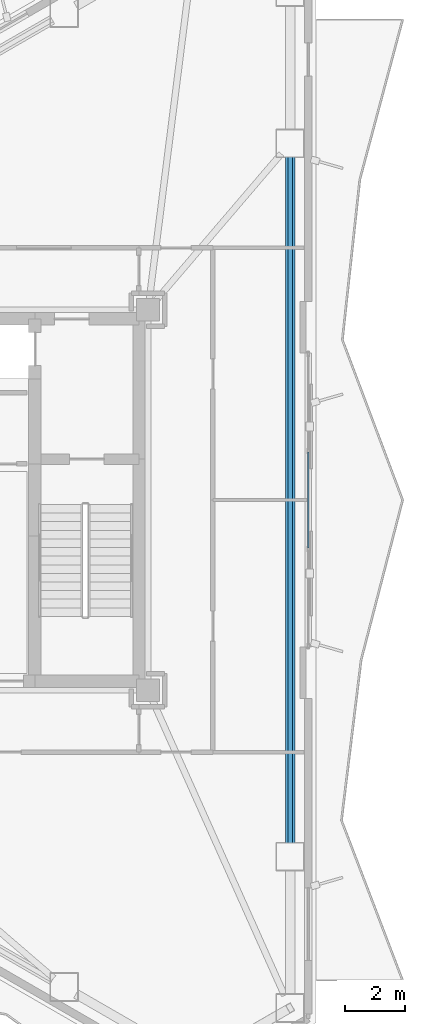
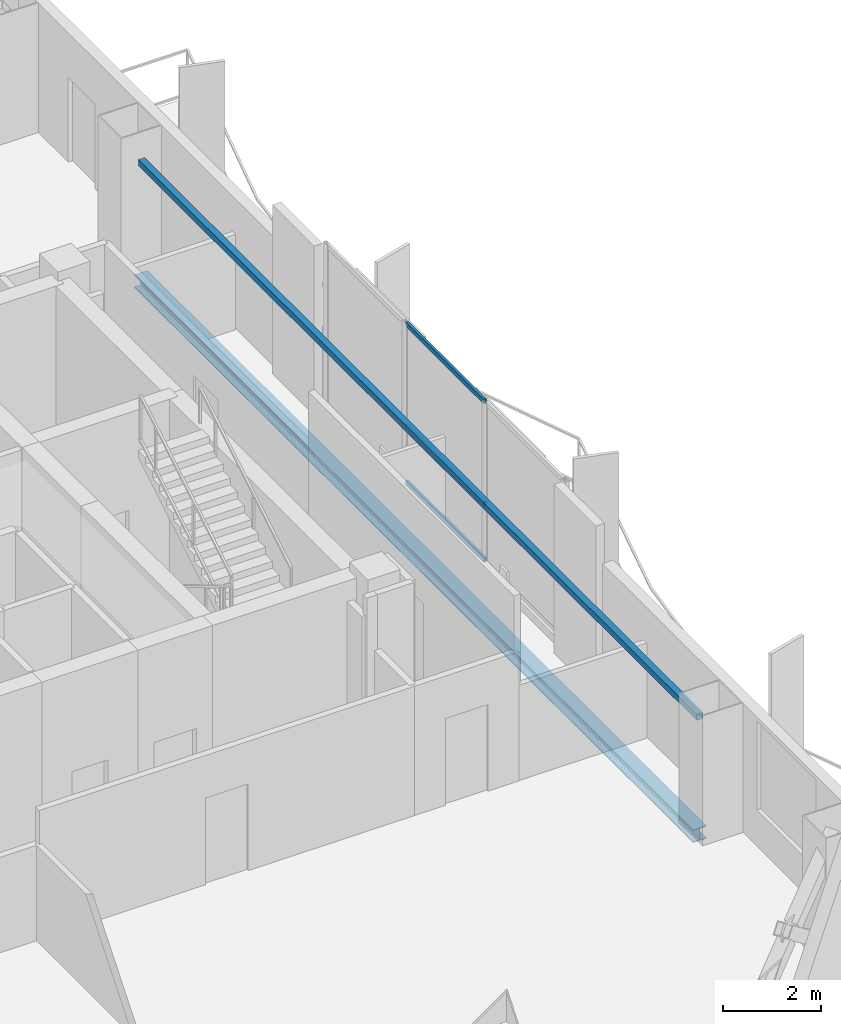
# One storey, part 10 of 18: 3 members, 2 beams, 1 element without a shape of its own.
"""IFC4 building model written with IfcOpenShell, lengths in metres."""

from ifc_helpers import new_model, si_unit, direction, frame, origin, origin_2d, place, context, subcontext, project, spatial, hollow_rectangle, i_section, extrude, material, layer, layer_set, material_profile, profile_set, type_object, element, aggregate, save


model = new_model("IFC4")

# Units and contexts
model_context = context("Model", 3, precision=1e-05, world=origin(), true_north=direction((0.0, 1.0)))
body_context = subcontext(model_context, "Body", "Model", "MODEL_VIEW")
ifc_project = project(units=[si_unit("LENGTHUNIT", "METRE"), si_unit("AREAUNIT", "SQUARE_METRE"), si_unit("VOLUMEUNIT", "CUBIC_METRE"), si_unit("PLANEANGLEUNIT", "RADIAN"), si_unit("MASSUNIT", "GRAM", prefix="KILO")], contexts=[model_context])

# Site, building, storey
site_placement = place(None, origin())
site = spatial("IfcSite", under=ifc_project, at=site_placement, CompositionType="ELEMENT")
building_placement = place(site_placement, origin())
building = spatial("IfcBuilding", under=site, at=building_placement, Name="Mersakhor Tower and Convention Hall", CompositionType="ELEMENT")
storey_placement = place(building_placement, frame((0.0, 0.0, 170.699951171875)))
storey = spatial("IfcBuildingStorey", under=building, at=storey_placement, Name="L47", CompositionType="ELEMENT", Elevation=170.699951171875)

# Beams
ifc_material_1 = material(Name="Steel S355", Category="steel")
ifc_material_profile_1 = material_profile(ifc_material_1, hollow_rectangle(XDim=0.14990234375, YDim=0.14990234375, WallThickness=0.010009765625, at=origin_2d()), Name="SHS 150x150x10")
ifc_profile_set_1 = profile_set([ifc_material_profile_1], Name="Steel S355")
beam_type_1 = type_object("IfcBeamType", Name="BM-GRT-SHS150", PredefinedType="USERDEFINED", material=ifc_profile_set_1)
beam_1_placement = place(storey_placement, frame((40.8037109375, 38.1005859375, 2.47998046875), z_axis=(0.0, -1.0, 0.0), x_axis=(1.0, 0.0, 0.0)))
element("IfcBeam", 1, at=beam_1_placement, inside=storey, type_object=beam_type_1, Name="L47 Facade Support Girt GRT-F2", ObjectType="GIRT", PredefinedType="USERDEFINED", context=body_context, shape_type="SweptSolid", body=[
    extrude(hollow_rectangle(XDim=0.14990234375, YDim=0.14990234375, WallThickness=0.010009765625, at=origin_2d()), origin(), (0.0, 0.0, 1.0), 22.701171875),
])
ifc_material_2 = material(Name="Steel S355", Category="steel")
ifc_material_profile_2 = material_profile(ifc_material_2, i_section(OverallWidth=0.30908203125, OverallDepth=0.320556640625, WebThickness=0.013916015625, FlangeThickness=0.021728515625, at=origin_2d()), Name="UC 305x305x137")
ifc_profile_set_2 = profile_set([ifc_material_profile_2], Name="Steel S355")
beam_type_2 = type_object("IfcBeamType", Name="BM-SPD-UC305", PredefinedType="SPANDREL", material=ifc_profile_set_2)
beam_2_placement = place(storey_placement, frame((40.8037109375, 38.1005859375, -0.440185546875), z_axis=(0.0, -1.0, 0.0), x_axis=(1.0, 0.0, 0.0)))
element("IfcBeam", 2, at=beam_2_placement, inside=storey, type_object=beam_type_2, Name="L47 Perimeter Spandrel Beam SPB-06", PredefinedType="SPANDREL", context=body_context, shape_type="SweptSolid", body=[
    extrude(i_section(OverallWidth=0.30908203125, OverallDepth=0.320556640625, WebThickness=0.013916015625, FlangeThickness=0.021728515625, at=origin_2d()), origin(), (0.0, 0.0, 1.0), 22.701171875),
])

# Curtain wall, members
ifc_material_3 = material(Name="Dark solar low-E aluminium curtain wall", Category="aluminium")
ifc_layer = layer(ifc_material_3, 0.199951171875)
ifc_layer_set = layer_set([ifc_layer], Name="Dark solar low-E aluminium curtain wall")
curtain_wall_type = type_object("IfcCurtainWallType", Name="CW-SYS-05", PredefinedType="USERDEFINED", material=ifc_layer_set)
curtain_wall_placement = place(storey_placement, origin())
curtain_wall = element("IfcCurtainWall", 3, at=curtain_wall_placement, inside=storey, type_object=curtain_wall_type, Name="L47 Dark-Glass Curtain Wall F2-B2", ObjectType="CURTAIN WALL", PredefinedType="USERDEFINED")
ifc_material_4 = material(Name="Anodised aluminium EN AW-6063 T6", Category="aluminium")
ifc_material_profile_3 = material_profile(ifc_material_4, hollow_rectangle(XDim=0.06005859375, YDim=0.1201171875, WallThickness=0.0048828125, at=origin_2d()), Name="RHS 120x60x5")
ifc_profile_set_3 = profile_set([ifc_material_profile_3], Name="Anodised aluminium EN AW-6063 T6")
member_type = type_object("IfcMemberType", Name="CWT-120x60", PredefinedType="USERDEFINED", material=ifc_profile_set_3)
member_1_placement = place(storey_placement, frame((41.40380859375, 28.333740234375, 0.22998046875), z_axis=(0.0, -1.0, 0.0), x_axis=(1.0, 0.0, 0.0)))
member_1 = element("IfcMember", 4, at=member_1_placement, type_object=member_type, Name="CW-05 transom 2.1", ObjectType="TRANSOM", PredefinedType="USERDEFINED", context=body_context, shape_type="SweptSolid", body=[
    extrude(hollow_rectangle(XDim=0.06005859375, YDim=0.1201171875, WallThickness=0.0048828125, at=origin_2d()), origin(), (0.0, 0.0, 1.0), 3.16748046875),
])
member_2_placement = place(storey_placement, frame((41.40380859375, 28.333740234375, 1.6201171875), z_axis=(0.0, -1.0, 0.0), x_axis=(1.0, 0.0, 0.0)))
member_2 = element("IfcMember", 5, at=member_2_placement, type_object=member_type, Name="CW-05 transom 2.2", ObjectType="TRANSOM", PredefinedType="USERDEFINED", context=body_context, shape_type="SweptSolid", body=[
    extrude(hollow_rectangle(XDim=0.06005859375, YDim=0.1201171875, WallThickness=0.0048828125, at=origin_2d()), origin(), (0.0, 0.0, 1.0), 3.16748046875),
])
member_3_placement = place(storey_placement, frame((41.40380859375, 28.333740234375, 4.16015625), z_axis=(0.0, -1.0, 0.0), x_axis=(1.0, 0.0, 0.0)))
member_3 = element("IfcMember", 6, at=member_3_placement, type_object=member_type, Name="CW-05 transom 2.3", ObjectType="TRANSOM", PredefinedType="USERDEFINED", context=body_context, shape_type="SweptSolid", body=[
    extrude(hollow_rectangle(XDim=0.06005859375, YDim=0.1201171875, WallThickness=0.0048828125, at=origin_2d()), origin(), (0.0, 0.0, 1.0), 3.16748046875),
])
aggregate(curtain_wall, [member_1, member_2, member_3])

save(model, "model.ifc")
